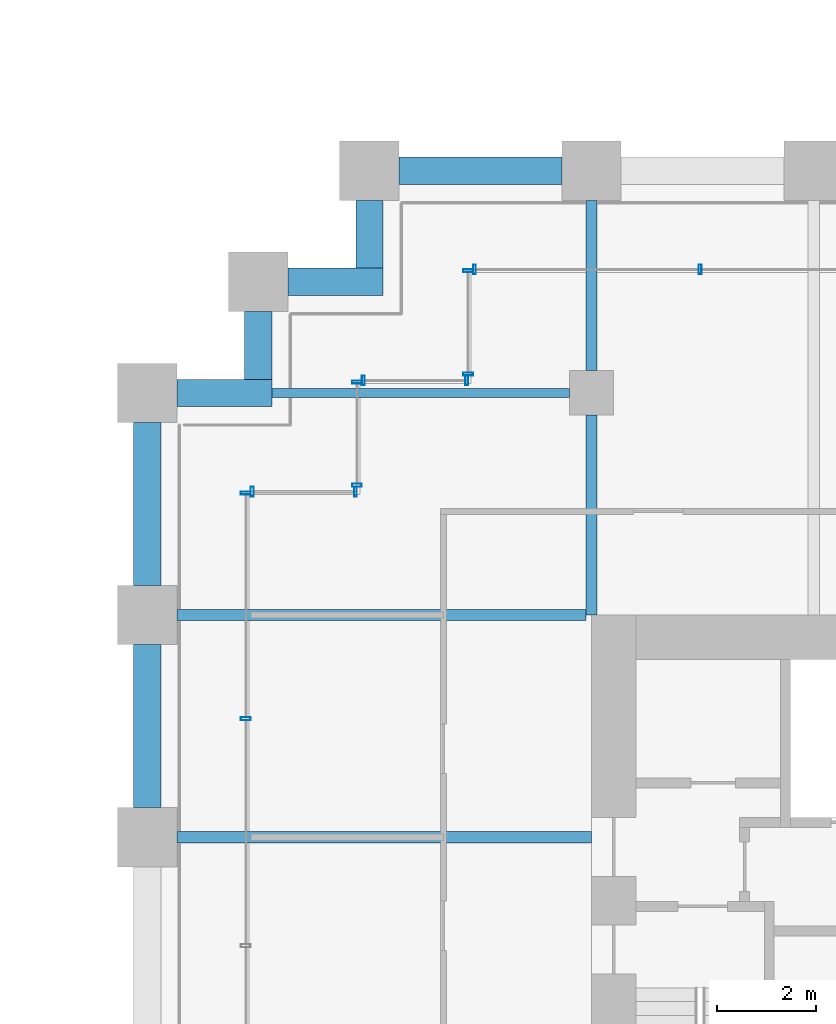
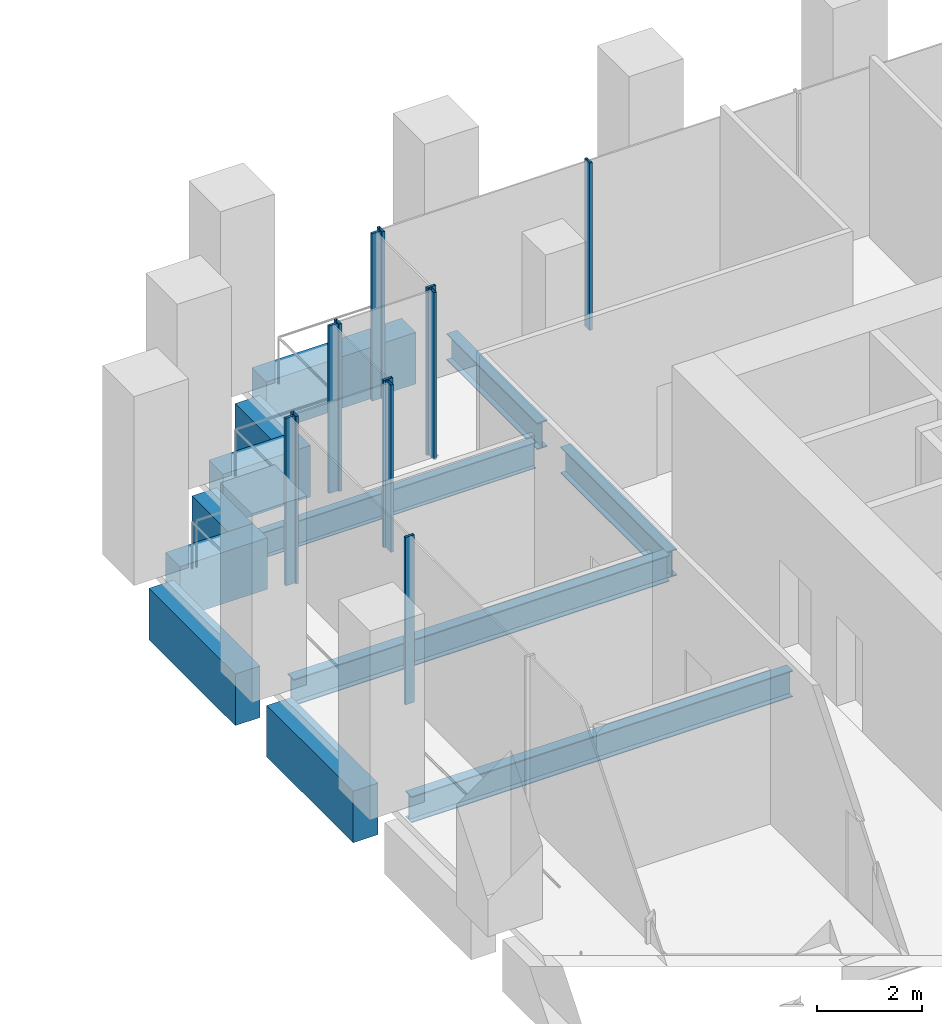
# One storey, part 23 of 36: 12 beams, 12 members, 6 elements without a shape of their own.
"""IFC4 building model written with IfcOpenShell, lengths in metres."""

from ifc_helpers import new_model, si_unit, direction, frame, origin, origin_2d, place, context, subcontext, project, spatial, rectangle, hollow_rectangle, i_section, extrude, material, material_profile, profile_set, type_object, element, aggregate, save


model = new_model("IFC4")

# Units and contexts
model_context = context("Model", 3, precision=1e-05, world=origin(), true_north=direction((0.0, 1.0)))
body_context = subcontext(model_context, "Body", "Model", "MODEL_VIEW")
ifc_project = project(units=[si_unit("LENGTHUNIT", "METRE"), si_unit("AREAUNIT", "SQUARE_METRE"), si_unit("VOLUMEUNIT", "CUBIC_METRE"), si_unit("PLANEANGLEUNIT", "RADIAN"), si_unit("MASSUNIT", "GRAM", prefix="KILO")], contexts=[model_context])

# Site, building, storey
site_placement = place(None, origin())
site = spatial("IfcSite", under=ifc_project, at=site_placement, CompositionType="ELEMENT")
building_placement = place(site_placement, origin())
building = spatial("IfcBuilding", under=site, at=building_placement, Name="Altepetl Exchange Towers", CompositionType="ELEMENT")
storey_placement = place(building_placement, frame((0.0, 0.0, 38.60009765625)))
storey = spatial("IfcBuildingStorey", under=building, at=storey_placement, Name="L08", CompositionType="ELEMENT", Elevation=38.60009765625)

# Beams
ifc_material_1 = material(Name="Steel S355", Category="steel")
ifc_material_profile_1 = material_profile(ifc_material_1, i_section(OverallWidth=0.178955078125, OverallDepth=0.60302734375, WebThickness=0.010986328125, FlangeThickness=0.014892578125, at=origin_2d()), Name="W24X62")
ifc_profile_set_1 = profile_set([ifc_material_profile_1], Name="Steel S355")
beam_type_1 = type_object("IfcBeamType", Name="Floor beam W24X62", PredefinedType="BEAM", material=ifc_profile_set_1)
beam_1_placement = place(storey_placement, frame((97.02490234375, 54.0, -0.4765625), z_axis=(1.0, 0.0, 0.0), x_axis=(0.0, 1.0, 0.0)))
element("IfcBeam", 1, at=beam_1_placement, inside=storey, type_object=beam_type_1, Name="bm:B:L08:015", PredefinedType="BEAM", context=body_context, shape_type="SweptSolid", body=[
    extrude(i_section(OverallWidth=0.178955078125, OverallDepth=0.60302734375, WebThickness=0.010986328125, FlangeThickness=0.014892578125, at=origin_2d()), origin(), (0.0, 0.0, 1.0), 6.025146484375),
])
ifc_material_profile_2 = material_profile(ifc_material_1, i_section(OverallWidth=0.22900390625, OverallDepth=0.612060546875, WebThickness=0.011962890625, FlangeThickness=0.01953125, at=origin_2d()), Name="W24X84")
ifc_profile_set_2 = profile_set([ifc_material_profile_2], Name="Steel S355")
beam_type_2 = type_object("IfcBeamType", Name="Floor beam W24X84", PredefinedType="BEAM", material=ifc_profile_set_2)
beam_2_placement = place(storey_placement, frame((95.10009765625, 45.0, -0.481201171875), z_axis=(1.0, 0.0, 0.0), x_axis=(0.0, 1.0, 0.0)))
element("IfcBeam", 2, at=beam_2_placement, inside=storey, type_object=beam_type_2, Name="bm:B:L08:013", PredefinedType="BEAM", context=body_context, shape_type="SweptSolid", body=[
    extrude(i_section(OverallWidth=0.22900390625, OverallDepth=0.612060546875, WebThickness=0.011962890625, FlangeThickness=0.01953125, at=origin_2d()), origin(), (0.0, 0.0, 1.0), 8.39990234375),
])
beam_3_placement = place(storey_placement, frame((95.10009765625, 49.5, -0.481201171875), z_axis=(1.0, 0.0, 0.0), x_axis=(0.0, 1.0, 0.0)))
element("IfcBeam", 3, at=beam_3_placement, inside=storey, type_object=beam_type_2, Name="bm:B:L08:014", PredefinedType="BEAM", context=body_context, shape_type="SweptSolid", body=[
    extrude(i_section(OverallWidth=0.22900390625, OverallDepth=0.612060546875, WebThickness=0.011962890625, FlangeThickness=0.01953125, at=origin_2d()), origin(), (0.0, 0.0, 1.0), 8.284912109375),
])
ifc_material_profile_3 = material_profile(ifc_material_1, i_section(OverallWidth=0.22900390625, OverallDepth=0.623046875, WebThickness=0.013916015625, FlangeThickness=0.02490234375, at=origin_2d()), Name="W24X103")
ifc_profile_set_3 = profile_set([ifc_material_profile_3], Name="Steel S355")
beam_type_3 = type_object("IfcBeamType", Name="Girder W24X103", PredefinedType="BEAM", material=ifc_profile_set_3)
beam_4_placement = place(storey_placement, frame((103.5, 57.89990234375, -0.486572265625), z_axis=(0.0, -1.0, 0.0), x_axis=(1.0, 0.0, 0.0)))
element("IfcBeam", 4, at=beam_4_placement, inside=storey, type_object=beam_type_3, Name="gd:B:L08:002", PredefinedType="BEAM", context=body_context, shape_type="SweptSolid", body=[
    extrude(i_section(OverallWidth=0.22900390625, OverallDepth=0.623046875, WebThickness=0.013916015625, FlangeThickness=0.02490234375, at=origin_2d()), origin(), (0.0, 0.0, 1.0), 3.449951171875),
])
beam_5_placement = place(storey_placement, frame((103.5, 53.550048828125, -0.486572265625), z_axis=(0.0, -1.0, 0.0), x_axis=(1.0, 0.0, 0.0)))
element("IfcBeam", 5, at=beam_5_placement, inside=storey, type_object=beam_type_3, Name="gd:B:L08:003", PredefinedType="BEAM", context=body_context, shape_type="SweptSolid", body=[
    extrude(i_section(OverallWidth=0.22900390625, OverallDepth=0.623046875, WebThickness=0.013916015625, FlangeThickness=0.02490234375, at=origin_2d()), origin(), (0.0, 0.0, 1.0), 4.050048828125),
])

# Curtain wall, members
ifc_material_2 = material(Name="Aluminium 6063-T6 glazing", Category="aluminium")
curtain_wall_type = type_object("IfcCurtainWallType", Name="Trading floor glazing system", PredefinedType="NOTDEFINED", material=ifc_material_2)
curtain_wall_1_placement = place(storey_placement, origin())
curtain_wall_1 = element("IfcCurtainWall", 6, at=curtain_wall_1_placement, inside=storey, type_object=curtain_wall_type, Name="CW2 run", PredefinedType="NOTDEFINED")
ifc_material_3 = material(Name="Aluminium 6063-T6", Category="aluminium")
ifc_material_profile_4 = material_profile(ifc_material_3, hollow_rectangle(XDim=0.06005859375, YDim=0.199951171875, WallThickness=0.0029296875, at=origin_2d()), Name="Mullion 60x200 aluminium")
ifc_profile_set_4 = profile_set([ifc_material_profile_4], Name="Aluminium 6063-T6")
member_type = type_object("IfcMemberType", Name="Mullion 60x200 aluminium", PredefinedType="MULLION", material=ifc_profile_set_4)
member_1_placement = place(storey_placement, frame((98.719970703125, 52.0, 0.0), z_axis=(0.0, 0.0, 1.0), x_axis=(-1.0, 0.0, 0.0)))
member_1 = element("IfcMember", 7, at=member_1_placement, type_object=member_type, Name="MU2 mullion", PredefinedType="MULLION", context=body_context, shape_type="SweptSolid", body=[
    extrude(hollow_rectangle(XDim=0.06005859375, YDim=0.199951171875, WallThickness=0.0029296875, at=origin_2d()), origin(), (0.0, 0.0, 1.0), 3.89990234375),
])
member_2_placement = place(storey_placement, frame((96.6298828125, 52.0, 0.0), z_axis=(0.0, 0.0, 1.0), x_axis=(-1.0, 0.0, 0.0)))
member_2 = element("IfcMember", 8, at=member_2_placement, type_object=member_type, Name="MU2 mullion", PredefinedType="MULLION", context=body_context, shape_type="SweptSolid", body=[
    extrude(hollow_rectangle(XDim=0.06005859375, YDim=0.199951171875, WallThickness=0.0029296875, at=origin_2d()), origin(), (0.0, 0.0, 1.0), 3.89990234375),
])
aggregate(curtain_wall_1, [member_1, member_2])

curtain_wall_2_placement = place(storey_placement, origin())
curtain_wall_2 = element("IfcCurtainWall", 9, at=curtain_wall_2_placement, inside=storey, type_object=curtain_wall_type, Name="CW2 run", PredefinedType="NOTDEFINED")
member_3_placement = place(storey_placement, frame((96.5, 51.969970703125, 0.0), z_axis=(0.0, 0.0, 1.0), x_axis=(0.0, -1.0, 0.0)))
member_3 = element("IfcMember", 10, at=member_3_placement, type_object=member_type, Name="MU2 mullion", PredefinedType="MULLION", context=body_context, shape_type="SweptSolid", body=[
    extrude(hollow_rectangle(XDim=0.06005859375, YDim=0.199951171875, WallThickness=0.0029296875, at=origin_2d()), origin(), (0.0, 0.0, 1.0), 3.89990234375),
])
member_4_placement = place(storey_placement, frame((96.5, 47.39990234375, 0.0), z_axis=(0.0, 0.0, 1.0), x_axis=(0.0, -1.0, 0.0)))
member_4 = element("IfcMember", 11, at=member_4_placement, type_object=member_type, Name="MU2 mullion", PredefinedType="MULLION", context=body_context, shape_type="SweptSolid", body=[
    extrude(hollow_rectangle(XDim=0.06005859375, YDim=0.199951171875, WallThickness=0.0029296875, at=origin_2d()), origin(), (0.0, 0.0, 1.0), 3.89990234375),
])
aggregate(curtain_wall_2, [member_3, member_4])

curtain_wall_3_placement = place(storey_placement, origin())
curtain_wall_3 = element("IfcCurtainWall", 12, at=curtain_wall_3_placement, inside=storey, type_object=curtain_wall_type, Name="CW2 run", PredefinedType="NOTDEFINED")
member_5_placement = place(storey_placement, frame((105.699951171875, 56.5, 0.0), z_axis=(0.0, 0.0, 1.0), x_axis=(-1.0, 0.0, 0.0)))
member_5 = element("IfcMember", 13, at=member_5_placement, type_object=member_type, Name="MU2 mullion", PredefinedType="MULLION", context=body_context, shape_type="SweptSolid", body=[
    extrude(hollow_rectangle(XDim=0.06005859375, YDim=0.199951171875, WallThickness=0.0029296875, at=origin_2d()), origin(), (0.0, 0.0, 1.0), 3.89990234375),
])
member_6_placement = place(storey_placement, frame((101.1298828125, 56.5, 0.0), z_axis=(0.0, 0.0, 1.0), x_axis=(-1.0, 0.0, 0.0)))
member_6 = element("IfcMember", 14, at=member_6_placement, type_object=member_type, Name="MU2 mullion", PredefinedType="MULLION", context=body_context, shape_type="SweptSolid", body=[
    extrude(hollow_rectangle(XDim=0.06005859375, YDim=0.199951171875, WallThickness=0.0029296875, at=origin_2d()), origin(), (0.0, 0.0, 1.0), 3.89990234375),
])
aggregate(curtain_wall_3, [member_5, member_6])

curtain_wall_4_placement = place(storey_placement, origin())
curtain_wall_4 = element("IfcCurtainWall", 15, at=curtain_wall_4_placement, inside=storey, type_object=curtain_wall_type, Name="CW2 run", PredefinedType="NOTDEFINED")
member_7_placement = place(storey_placement, frame((101.0, 56.469970703125, 0.0), z_axis=(0.0, 0.0, 1.0), x_axis=(0.0, -1.0, 0.0)))
member_7 = element("IfcMember", 16, at=member_7_placement, type_object=member_type, Name="MU2 mullion", PredefinedType="MULLION", context=body_context, shape_type="SweptSolid", body=[
    extrude(hollow_rectangle(XDim=0.06005859375, YDim=0.199951171875, WallThickness=0.0029296875, at=origin_2d()), origin(), (0.0, 0.0, 1.0), 3.89990234375),
])
member_8_placement = place(storey_placement, frame((101.0, 54.3798828125, 0.0), z_axis=(0.0, 0.0, 1.0), x_axis=(0.0, -1.0, 0.0)))
member_8 = element("IfcMember", 17, at=member_8_placement, type_object=member_type, Name="MU2 mullion", PredefinedType="MULLION", context=body_context, shape_type="SweptSolid", body=[
    extrude(hollow_rectangle(XDim=0.06005859375, YDim=0.199951171875, WallThickness=0.0029296875, at=origin_2d()), origin(), (0.0, 0.0, 1.0), 3.89990234375),
])
aggregate(curtain_wall_4, [member_7, member_8])

curtain_wall_5_placement = place(storey_placement, origin())
curtain_wall_5 = element("IfcCurtainWall", 18, at=curtain_wall_5_placement, inside=storey, type_object=curtain_wall_type, Name="CW2 run", PredefinedType="NOTDEFINED")
member_9_placement = place(storey_placement, frame((100.969970703125, 54.25, 0.0), z_axis=(0.0, 0.0, 1.0), x_axis=(-1.0, 0.0, 0.0)))
member_9 = element("IfcMember", 19, at=member_9_placement, type_object=member_type, Name="MU2 mullion", PredefinedType="MULLION", context=body_context, shape_type="SweptSolid", body=[
    extrude(hollow_rectangle(XDim=0.06005859375, YDim=0.199951171875, WallThickness=0.0029296875, at=origin_2d()), origin(), (0.0, 0.0, 1.0), 3.89990234375),
])
member_10_placement = place(storey_placement, frame((98.8798828125, 54.25, 0.0), z_axis=(0.0, 0.0, 1.0), x_axis=(-1.0, 0.0, 0.0)))
member_10 = element("IfcMember", 20, at=member_10_placement, type_object=member_type, Name="MU2 mullion", PredefinedType="MULLION", context=body_context, shape_type="SweptSolid", body=[
    extrude(hollow_rectangle(XDim=0.06005859375, YDim=0.199951171875, WallThickness=0.0029296875, at=origin_2d()), origin(), (0.0, 0.0, 1.0), 3.89990234375),
])
aggregate(curtain_wall_5, [member_9, member_10])

curtain_wall_6_placement = place(storey_placement, origin())
curtain_wall_6 = element("IfcCurtainWall", 21, at=curtain_wall_6_placement, inside=storey, type_object=curtain_wall_type, Name="CW2 run", PredefinedType="NOTDEFINED")
member_11_placement = place(storey_placement, frame((98.75, 54.219970703125, 0.0), z_axis=(0.0, 0.0, 1.0), x_axis=(0.0, -1.0, 0.0)))
member_11 = element("IfcMember", 22, at=member_11_placement, type_object=member_type, Name="MU2 mullion", PredefinedType="MULLION", context=body_context, shape_type="SweptSolid", body=[
    extrude(hollow_rectangle(XDim=0.06005859375, YDim=0.199951171875, WallThickness=0.0029296875, at=origin_2d()), origin(), (0.0, 0.0, 1.0), 3.89990234375),
])
member_12_placement = place(storey_placement, frame((98.75, 52.1298828125, 0.0), z_axis=(0.0, 0.0, 1.0), x_axis=(0.0, -1.0, 0.0)))
member_12 = element("IfcMember", 23, at=member_12_placement, type_object=member_type, Name="MU2 mullion", PredefinedType="MULLION", context=body_context, shape_type="SweptSolid", body=[
    extrude(hollow_rectangle(XDim=0.06005859375, YDim=0.199951171875, WallThickness=0.0029296875, at=origin_2d()), origin(), (0.0, 0.0, 1.0), 3.89990234375),
])
aggregate(curtain_wall_6, [member_11, member_12])

# Beams
ifc_material_4 = material(Name="Concrete C50/60 precast with cantera rosa facing", Category="concrete")
ifc_material_profile_5 = material_profile(ifc_material_4, rectangle(XDim=0.550048828125, YDim=1.199951171875, at=origin_2d()), Name="550 x 1200")
ifc_profile_set_5 = profile_set([ifc_material_profile_5], Name="Concrete C50/60 precast with cantera rosa facing")
beam_type_4 = type_object("IfcBeamType", Name="Spandrel beam 550x1200 cantera rosa", PredefinedType="SPANDREL", material=ifc_profile_set_5)
beam_6_placement = place(storey_placement, frame((102.89990234375, 58.5, -0.775146484375), z_axis=(-1.0, 0.0, 0.0), x_axis=(0.0, -1.0, 0.0)))
element("IfcBeam", 24, at=beam_6_placement, inside=storey, type_object=beam_type_4, Name="sp:B:L08:022", PredefinedType="SPANDREL", context=body_context, shape_type="SweptSolid", body=[
    extrude(rectangle(XDim=0.550048828125, YDim=1.199951171875, at=origin_2d()), origin(), (0.0, 0.0, 1.0), 3.2998046875),
])
beam_7_placement = place(storey_placement, frame((99.0, 57.89990234375, -0.775146484375), z_axis=(0.0, -1.0, 0.0), x_axis=(1.0, 0.0, 0.0)))
element("IfcBeam", 25, at=beam_7_placement, inside=storey, type_object=beam_type_4, Name="sp:B:L08:023", PredefinedType="SPANDREL", context=body_context, shape_type="SweptSolid", body=[
    extrude(rectangle(XDim=0.550048828125, YDim=1.199951171875, at=origin_2d()), origin(), (0.0, 0.0, 1.0), 1.375),
])
beam_8_placement = place(storey_placement, frame((99.27490234375, 56.25, -0.775146484375), z_axis=(-1.0, 0.0, 0.0), x_axis=(0.0, -1.0, 0.0)))
element("IfcBeam", 26, at=beam_8_placement, inside=storey, type_object=beam_type_4, Name="sp:B:L08:024", PredefinedType="SPANDREL", context=body_context, shape_type="SweptSolid", body=[
    extrude(rectangle(XDim=0.550048828125, YDim=1.199951171875, at=origin_2d()), origin(), (0.0, 0.0, 1.0), 1.9248046875),
])
beam_9_placement = place(storey_placement, frame((96.75, 55.64990234375, -0.775146484375), z_axis=(0.0, -1.0, 0.0), x_axis=(1.0, 0.0, 0.0)))
element("IfcBeam", 27, at=beam_9_placement, inside=storey, type_object=beam_type_4, Name="sp:B:L08:025", PredefinedType="SPANDREL", context=body_context, shape_type="SweptSolid", body=[
    extrude(rectangle(XDim=0.550048828125, YDim=1.199951171875, at=origin_2d()), origin(), (0.0, 0.0, 1.0), 1.375),
])
beam_10_placement = place(storey_placement, frame((97.02490234375, 54.0, -0.775146484375), z_axis=(-1.0, 0.0, 0.0), x_axis=(0.0, -1.0, 0.0)))
element("IfcBeam", 28, at=beam_10_placement, inside=storey, type_object=beam_type_4, Name="sp:B:L08:026", PredefinedType="SPANDREL", context=body_context, shape_type="SweptSolid", body=[
    extrude(rectangle(XDim=0.550048828125, YDim=1.199951171875, at=origin_2d()), origin(), (0.0, 0.0, 1.0), 1.9248046875),
])
for number, where, z_axis, x_axis, name in (
    (29, (94.5, 53.39990234375, -0.775146484375), (0.0, -1.0, 0.0), (1.0, 0.0, 0.0), "sp:B:L08:027"),
    (30, (94.5, 48.89990234375, -0.775146484375), (0.0, -1.0, 0.0), (1.0, 0.0, 0.0), "sp:B:L08:028"),
):
    element("IfcBeam", number, at=place(storey_placement, frame(where, z_axis=z_axis, x_axis=x_axis)), inside=storey, type_object=beam_type_4, Name=name, PredefinedType="SPANDREL", context=body_context, shape_type="SweptSolid", body=[
        extrude(rectangle(XDim=0.550048828125, YDim=1.199951171875, at=origin_2d()), origin(), (0.0, 0.0, 1.0), 3.2998046875),
    ])

save(model, "model.ifc")
